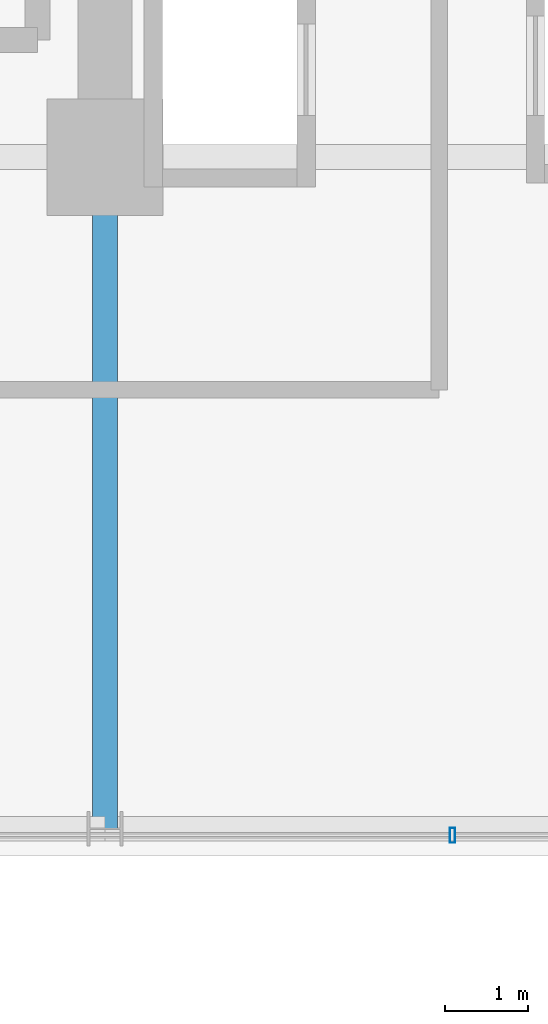
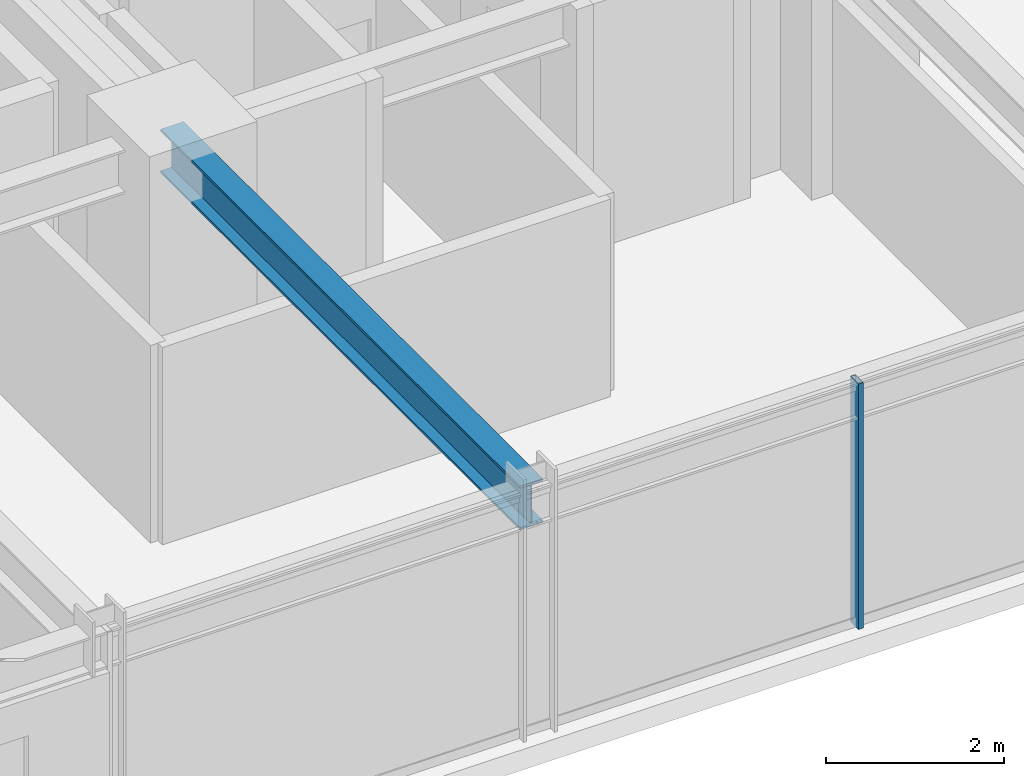
# One storey, part 11 of 36: 1 beam, 1 member, 1 element without a shape of its own.
"""IFC4 building model written with IfcOpenShell, lengths in metres."""

from ifc_helpers import new_model, si_unit, direction, frame, origin, origin_2d, place, context, subcontext, project, spatial, hollow_rectangle, i_section, extrude, source, transform, mapped, material, material_profile, profile_set, type_object, element, aggregate, save


model = new_model("IFC4")

# Units and contexts
model_context = context("Model", 3, precision=1e-05, world=origin(), true_north=direction((0.0, 1.0)))
body_context = subcontext(model_context, "Body", "Model", "MODEL_VIEW")
ifc_project = project(units=[si_unit("LENGTHUNIT", "METRE"), si_unit("AREAUNIT", "SQUARE_METRE"), si_unit("VOLUMEUNIT", "CUBIC_METRE"), si_unit("PLANEANGLEUNIT", "RADIAN"), si_unit("MASSUNIT", "GRAM", prefix="KILO")], contexts=[model_context])

# Site, building, storey
site_placement = place(None, origin())
site = spatial("IfcSite", under=ifc_project, at=site_placement, CompositionType="ELEMENT")
building_placement = place(site_placement, origin())
building = spatial("IfcBuilding", under=site, at=building_placement, Name="Nahalor Promenade Grand Hotel", CompositionType="ELEMENT")
storey_placement = place(building_placement, frame((0.0, 0.0, 72.550048828125)))
storey = spatial("IfcBuildingStorey", under=building, at=storey_placement, Name="L17", CompositionType="ELEMENT", Elevation=72.550048828125)

# Beam
ifc_material_1 = material(Name="Steel S355JR", Category="steel")
ifc_material_profile_1 = material_profile(ifc_material_1, i_section(OverallWidth=0.3, OverallDepth=0.6, WebThickness=0.0155, FlangeThickness=0.03, at=origin_2d()), Name="HEB 600")
ifc_profile_set_1 = profile_set([ifc_material_profile_1], Name="Steel S355JR")
beam_type = type_object("IfcBeamType", Name="Beam-Girder-HEB600", PredefinedType="BEAM", material=ifc_profile_set_1)
shared_shape_1 = source(origin(), body_context, "Body", "SweptSolid", [
    extrude(i_section(OverallWidth=0.3, OverallDepth=0.6, WebThickness=0.0155, FlangeThickness=0.03, at=origin_2d()), origin(), (0.0, 0.0, 1.0), 8.080078125),
])
beam_placement = place(storey_placement, frame((8.39990234375, -25.080078125, 3.070068359375), z_axis=(0.0, 1.0, 0.0), x_axis=(-1.0, 0.0, 0.0)))
element("IfcBeam", 1, at=beam_placement, inside=storey, type_object=beam_type, Name="BM-L17-GY-4-0", PredefinedType="BEAM", context=body_context, shape_type="MappedRepresentation", body=[
    mapped(shared_shape_1, transform((0.0, 0.0, 0.0), scale=1.0)),
])

# Curtain wall, member
ifc_material_2 = material(Name="Anodised Bronze Aluminium EN AW-6063 T6", Category="aluminium")
curtain_wall_type = type_object("IfcCurtainWallType", Name="CW2 Typical Hotel Flush Bronze Unitised Curtain Wall", PredefinedType="USERDEFINED", material=ifc_material_2)
curtain_wall_placement = place(storey_placement, origin())
curtain_wall = element("IfcCurtainWall", 2, at=curtain_wall_placement, inside=storey, type_object=curtain_wall_type, Name="L17 Curtain Wall CW-L17-S-3", ObjectType="UNITISED_CURTAIN_WALL", PredefinedType="USERDEFINED")
ifc_material_profile_2 = material_profile(ifc_material_2, hollow_rectangle(XDim=0.065, YDim=0.18, WallThickness=0.004, at=origin_2d()), Name="CWM 65x180x4")
ifc_profile_set_2 = profile_set([ifc_material_profile_2], Name="Anodised Bronze Aluminium EN AW-6063 T6")
member_type = type_object("IfcMemberType", Name="CWM2 Typical Bronze Mullion 65x180", PredefinedType="MULLION", material=ifc_profile_set_2)
shared_shape_2 = source(origin(), body_context, "Body", "SweptSolid", [
    extrude(hollow_rectangle(XDim=0.065, YDim=0.18, WallThickness=0.004, at=origin_2d()), origin(), (0.0, 0.0, 1.0), 3.369873046875),
])
member_placement = place(storey_placement, frame((12.580078125, -25.159912109375, 0.0), z_axis=(0.0, 0.0, 1.0), x_axis=(1.0, 0.0, 0.0)))
member = element("IfcMember", 3, at=member_placement, type_object=member_type, Name="CW-L17-S-3 Mullion 1", PredefinedType="MULLION", context=body_context, shape_type="MappedRepresentation", body=[
    mapped(shared_shape_2, transform((0.0, 0.0, 0.0), scale=1.0)),
])
aggregate(curtain_wall, [member])

save(model, "model.ifc")
